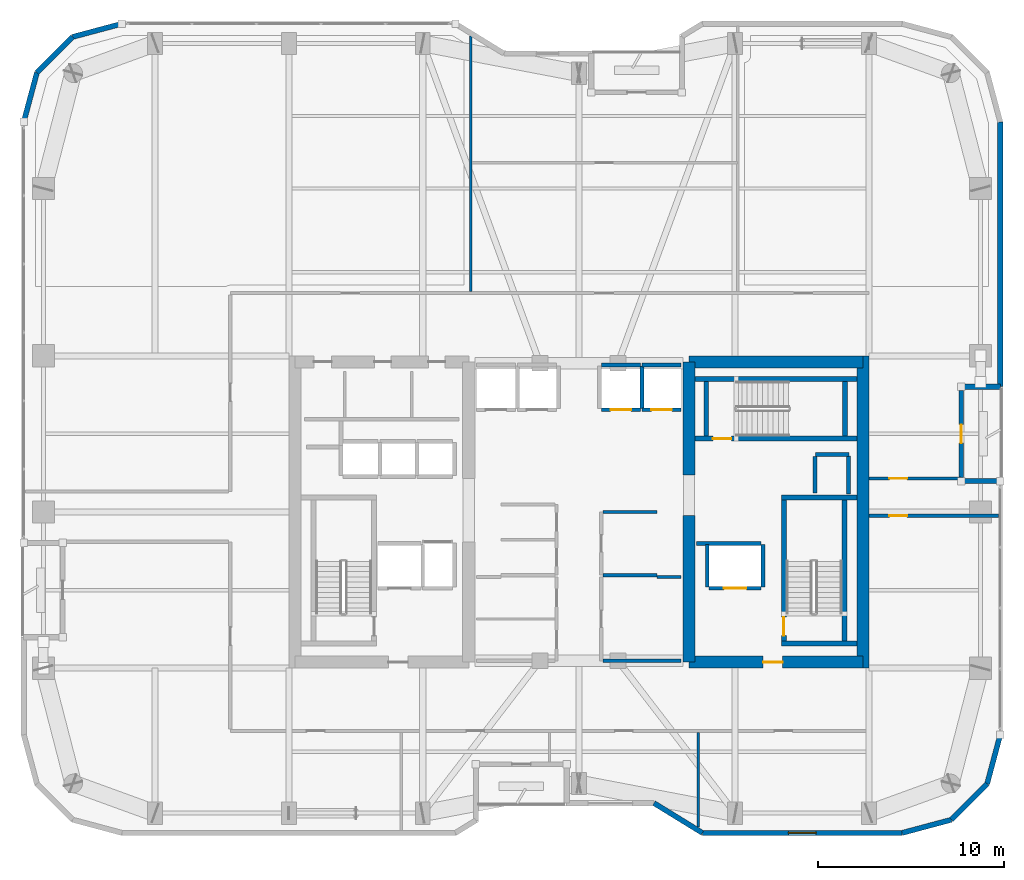
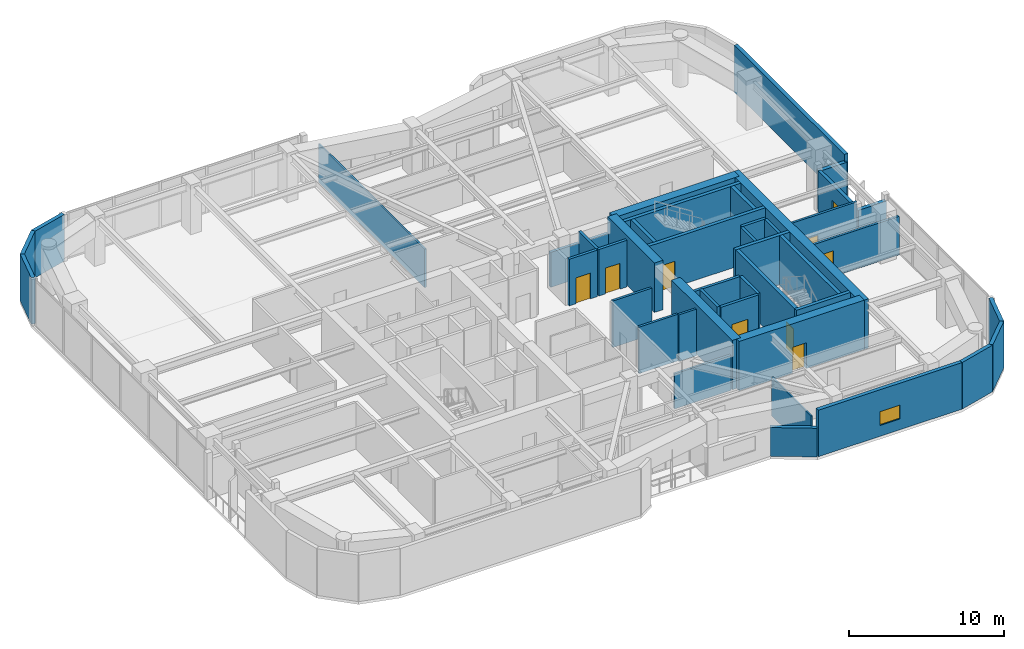
# One storey, part 26 of 30: 45 walls, 9 doors, 1 window, 10 openings.
"""IFC4 building model written with IfcOpenShell, lengths in metres."""

from ifc_helpers import new_model, si_unit, direction, frame, frame_2d, origin, place, context, subcontext, project, spatial, rectangle, extrude, material, layer, layer_set, type_object, element, fill, save


model = new_model("IFC4")

# Units and contexts
model_context = context("Model", 3, precision=1e-05, world=origin(), true_north=direction((0.0, 1.0)))
body_context = subcontext(model_context, "Body", "Model", "MODEL_VIEW")
ifc_project = project(units=[si_unit("LENGTHUNIT", "METRE"), si_unit("AREAUNIT", "SQUARE_METRE"), si_unit("VOLUMEUNIT", "CUBIC_METRE"), si_unit("PLANEANGLEUNIT", "RADIAN"), si_unit("MASSUNIT", "GRAM", prefix="KILO")], contexts=[model_context])

# Site, building, storey
site_placement = place(None, origin())
site = spatial("IfcSite", under=ifc_project, at=site_placement, CompositionType="ELEMENT")
building_placement = place(site_placement, origin())
building = spatial("IfcBuilding", under=site, at=building_placement, Name="Kiyonajd Concourse Tower", CompositionType="ELEMENT")
storey_placement = place(building_placement, frame((0.0, 0.0, 190.199951171875)))
storey = spatial("IfcBuildingStorey", under=building, at=storey_placement, Name="L48", CompositionType="ELEMENT", Elevation=190.199951171875)

# Walls
ifc_material_1 = material(Name="Concrete C60/75", Category="concrete")
ifc_layer_1 = layer(ifc_material_1, 0.64990234375)
ifc_layer_set_1 = layer_set([ifc_layer_1], Name="Concrete C60/75")
wall_type_1 = type_object("IfcWallType", Name="WL-CORE-650", PredefinedType="SHEAR", material=ifc_layer_set_1)
wall_1_placement = place(storey_placement, frame((53.925048828125, 27.925048828125, 0.0), z_axis=(0.0, 0.0, 1.0), x_axis=(0.0, 1.0, 0.0)))
element("IfcWall", 1, at=wall_1_placement, inside=storey, type_object=wall_type_1, Name="L48 East Core Inner South Shear Wall", PredefinedType="SHEAR", context=body_context, shape_type="SweptSolid", body=[
    extrude(rectangle(XDim=7.875, YDim=0.64990234375, at=frame_2d((3.9375, 0.0))), origin(), (0.0, 0.0, 1.0), 3.900146484375),
])
wall_2_placement = place(storey_placement, frame((53.925048828125, 38.0, 0.0), z_axis=(0.0, 0.0, 1.0), x_axis=(0.0, 1.0, 0.0)))
element("IfcWall", 2, at=wall_2_placement, inside=storey, type_object=wall_type_1, Name="L48 East Core Inner North Shear Wall", PredefinedType="SHEAR", context=body_context, shape_type="SweptSolid", body=[
    extrude(rectangle(XDim=6.074951171875, YDim=0.64990234375, at=frame_2d((3.03759765625, 0.0))), origin(), (0.0, 0.0, 1.0), 3.900146484375),
])
wall_3_placement = place(storey_placement, frame((63.27490234375, 27.60009765625, 0.0), z_axis=(0.0, 0.0, 1.0), x_axis=(0.0, 1.0, 0.0)))
element("IfcWall", 3, at=wall_3_placement, inside=storey, type_object=wall_type_1, Name="L48 East Core Outer Shear Wall", PredefinedType="SHEAR", context=body_context, shape_type="SweptSolid", body=[
    extrude(rectangle(XDim=16.7998046875, YDim=0.64990234375, at=frame_2d((8.39990234375, 0.0))), origin(), (0.0, 0.0, 1.0), 3.900146484375),
])

# Wall, opening, door
wall_4_placement = place(storey_placement, frame((53.925048828125, 27.925048828125, 0.0), z_axis=(0.0, 0.0, 1.0), x_axis=(1.0, 0.0, 0.0)))
wall_4 = element("IfcWall", 4, at=wall_4_placement, inside=storey, type_object=wall_type_1, Name="L48 East Core South Shear Wall", PredefinedType="SHEAR", context=body_context, shape_type="SweptSolid", body=[
    extrude(rectangle(XDim=9.349853515625, YDim=0.64990234375, at=frame_2d((4.6748046875, 0.0))), origin(), (0.0, 0.0, 1.0), 3.900146484375),
])
opening_1_placement = place(wall_4_placement, frame((3.97509765625, 0.0, 0.0)))
opening_1 = element("IfcOpeningElement", 5, at=opening_1_placement, cuts=wall_4, Name="Opening DF5", PredefinedType="OPENING", context=body_context, shape_type="SweptSolid", body=[
    extrude(rectangle(XDim=1.050048828125, YDim=2.0400390625, at=frame_2d((0.52490234375, 1.02001953125))), frame((0.0, 0.3349609375, 0.0), z_axis=(0.0, -1.0, 0.0), x_axis=(1.0, 0.0, 0.0)), (0.0, 0.0, 1.0), 0.669921875),
])
ifc_material_2 = material(Name="Brushed Stainless Steel Cab Assembly", Category="steel")
door_type_1 = type_object("IfcDoorType", Name="DR-FD45-1050", OperationType="NOTDEFINED", PredefinedType="DOOR", material=ifc_material_2)
door_1_placement = place(opening_1_placement, origin())
door_1 = element("IfcDoor", 6, at=door_1_placement, inside=storey, type_object=door_type_1, Name="L48 Firefighting Lift Lobby E Smoke Door", OperationType="SINGLE_SWING_RIGHT", OverallHeight=2.0400390625, OverallWidth=1.050048828125, PredefinedType="DOOR", context=body_context, shape_type="SweptSolid", body=[
    extrude(rectangle(XDim=1.050048828125, YDim=2.0400390625, at=frame_2d((0.52490234375, 1.02001953125))), frame((0.0, 0.02490234375, 0.0), z_axis=(0.0, -1.0, 0.0), x_axis=(1.0, 0.0, 0.0)), (0.0, 0.0, 1.0), 0.050048828125),
])
fill(opening_1, door_1)

# Walls
wall_5_placement = place(storey_placement, frame((53.925048828125, 44.074951171875, 0.0), z_axis=(0.0, 0.0, 1.0), x_axis=(1.0, 0.0, 0.0)))
element("IfcWall", 7, at=wall_5_placement, inside=storey, type_object=wall_type_1, Name="L48 East Core North Shear Wall", PredefinedType="SHEAR", context=body_context, shape_type="SweptSolid", body=[
    extrude(rectangle(XDim=9.349853515625, YDim=0.64990234375, at=frame_2d((4.6748046875, 0.0))), origin(), (0.0, 0.0, 1.0), 3.900146484375),
])
ifc_material_3 = material(Name="Precast concrete C50/60", Category="concrete")
ifc_layer_2 = layer(ifc_material_3, 0.280029296875)
ifc_layer_set_2 = layer_set([ifc_layer_2], Name="Precast concrete C50/60")
wall_type_2 = type_object("IfcWallType", Name="WL-EXT-280", PredefinedType="SOLIDWALL", material=ifc_layer_set_2)
wall_6_placement = place(storey_placement, frame((18.139892578125, 56.981689453125, 0.0), z_axis=(0.0, 0.0, 1.0), x_axis=(0.258672222976, 0.9659651552, 0.0)))
element("IfcWall", 8, at=wall_6_placement, inside=storey, type_object=wall_type_2, Name="L48 Exterior Concrete Frame Wall 06", PredefinedType="SOLIDWALL", context=body_context, shape_type="SweptSolid", body=[
    extrude(rectangle(XDim=2.739013671875, YDim=0.280029296875, at=frame_2d((1.36962890625, 0.0))), origin(), (0.0, 0.0, 1.0), 3.679931640625),
])
wall_7_placement = place(storey_placement, frame((18.848388671875, 59.62744140625, 0.0), z_axis=(0.0, 0.0, 1.0), x_axis=(0.707106781187, 0.707106781187, 0.0)))
element("IfcWall", 9, at=wall_7_placement, inside=storey, type_object=wall_type_2, Name="L48 Exterior Concrete Frame Wall 07", PredefinedType="SOLIDWALL", context=body_context, shape_type="SweptSolid", body=[
    extrude(rectangle(XDim=2.720947265625, YDim=0.280029296875, at=frame_2d((1.3603515625, 0.0))), origin(), (0.0, 0.0, 1.0), 3.679931640625),
])
wall_8_placement = place(storey_placement, frame((20.7724609375, 61.551513671875, 0.0), z_axis=(0.0, 0.0, 1.0), x_axis=(0.965971118627, 0.258649952598, 0.0)))
element("IfcWall", 10, at=wall_8_placement, inside=storey, type_object=wall_type_2, Name="L48 Exterior Concrete Frame Wall 08", PredefinedType="SOLIDWALL", context=body_context, shape_type="SweptSolid", body=[
    extrude(rectangle(XDim=2.7392578125, YDim=0.280029296875, at=frame_2d((1.36962890625, 0.0))), origin(), (0.0, 0.0, 1.0), 3.679931640625),
])
wall_9_placement = place(storey_placement, frame((70.659912109375, 56.981689453125, 0.0), z_axis=(0.0, 0.0, 1.0), x_axis=(0.0, -1.0, 0.0)))
element("IfcWall", 11, at=wall_9_placement, inside=storey, type_object=wall_type_2, Name="L48 Exterior Concrete Frame Wall 20", PredefinedType="SOLIDWALL", context=body_context, shape_type="SweptSolid", body=[
    extrude(rectangle(XDim=14.24169921875, YDim=0.280029296875, at=frame_2d((7.120849609375, 0.0))), origin(), (0.0, 0.0, 1.0), 3.679931640625),
])
for number, where, z_axis, x_axis, name in (
    (12, (70.659912109375, 42.739990234375, 0.0), (0.0, 0.0, 1.0), (-1.0, 0.0, 0.0), "L48 Exterior Concrete Frame Wall 21"),
    (13, (68.56005859375, 37.659912109375, 0.0), (0.0, 0.0, 1.0), (1.0, 0.0, 0.0), "L48 Exterior Concrete Frame Wall 23"),
):
    element("IfcWall", number, at=place(storey_placement, frame(where, z_axis=z_axis, x_axis=x_axis)), inside=storey, type_object=wall_type_2, Name=name, PredefinedType="SOLIDWALL", context=body_context, shape_type="SweptSolid", body=[
        extrude(rectangle(XDim=2.099853515625, YDim=0.280029296875, at=frame_2d((1.0498046875, 0.0))), origin(), (0.0, 0.0, 1.0), 3.115966796875),
    ])
wall_10_placement = place(storey_placement, frame((70.659912109375, 24.018310546875, 0.0), z_axis=(0.0, 0.0, 1.0), x_axis=(-0.258672222976, -0.9659651552, 0.0)))
element("IfcWall", 14, at=wall_10_placement, inside=storey, type_object=wall_type_2, Name="L48 Exterior Concrete Frame Wall 25", PredefinedType="SOLIDWALL", context=body_context, shape_type="SweptSolid", body=[
    extrude(rectangle(XDim=2.739013671875, YDim=0.280029296875, at=frame_2d((1.36962890625, 0.0))), origin(), (0.0, 0.0, 1.0), 3.679931640625),
])
wall_11_placement = place(storey_placement, frame((69.951416015625, 21.37255859375, 0.0), z_axis=(0.0, 0.0, 1.0), x_axis=(-0.707061915429, -0.707151644098, 0.0)))
element("IfcWall", 15, at=wall_11_placement, inside=storey, type_object=wall_type_2, Name="L48 Exterior Concrete Frame Wall 26", PredefinedType="SOLIDWALL", context=body_context, shape_type="SweptSolid", body=[
    extrude(rectangle(XDim=2.720947265625, YDim=0.280029296875, at=frame_2d((1.3603515625, 0.0))), origin(), (0.0, 0.0, 1.0), 3.679931640625),
])
wall_12_placement = place(storey_placement, frame((68.027587890625, 19.448486328125, 0.0), z_axis=(0.0, 0.0, 1.0), x_axis=(-0.965971118627, -0.258649952598, 0.0)))
element("IfcWall", 16, at=wall_12_placement, inside=storey, type_object=wall_type_2, Name="L48 Exterior Concrete Frame Wall 27", PredefinedType="SOLIDWALL", context=body_context, shape_type="SweptSolid", body=[
    extrude(rectangle(XDim=2.7392578125, YDim=0.280029296875, at=frame_2d((1.36962890625, 0.0))), origin(), (0.0, 0.0, 1.0), 3.679931640625),
])

# Wall, opening, window
wall_13_placement = place(storey_placement, frame((65.381591796875, 18.739990234375, 0.0), z_axis=(0.0, 0.0, 1.0), x_axis=(-1.0, 0.0, 0.0)))
wall_13 = element("IfcWall", 17, at=wall_13_placement, inside=storey, type_object=wall_type_2, Name="L48 Exterior Concrete Frame Wall 28", PredefinedType="SOLIDWALL", context=body_context, shape_type="SweptSolid", body=[
    extrude(rectangle(XDim=10.741943359375, YDim=0.280029296875, at=frame_2d((5.37109375, 0.0))), origin(), (0.0, 0.0, 1.0), 3.679931640625),
])
opening_2_placement = place(wall_13_placement, frame((4.62109375, 0.0, 0.85009765625)))
opening_2 = element("IfcOpeningElement", 18, at=opening_2_placement, cuts=wall_13, Name="Opening WN2", PredefinedType="OPENING", context=body_context, shape_type="SweptSolid", body=[
    extrude(rectangle(XDim=1.5, YDim=1.10009765625, at=frame_2d((0.75, 0.550048828125))), frame((0.0, 0.14990234375, 0.0), z_axis=(0.0, -1.0, 0.0), x_axis=(1.0, 0.0, 0.0)), (0.0, 0.0, 1.0), 0.300048828125),
])
ifc_material_4 = material(Name="Double Low-E Insulated Glass", Category="glass")
window_type = type_object("IfcWindowType", Name="WN-VIS-1500x1100", PartitioningType="SINGLE_PANEL", PredefinedType="WINDOW", material=ifc_material_4)
window_placement = place(opening_2_placement, origin())
window = element("IfcWindow", 19, at=window_placement, inside=storey, type_object=window_type, Name="L48 Modular Facade Vision Window 28", OverallHeight=1.10009765625, OverallWidth=1.5, PartitioningType="SINGLE_PANEL", PredefinedType="WINDOW", context=body_context, shape_type="SweptSolid", body=[
    extrude(rectangle(XDim=1.5, YDim=1.10009765625, at=frame_2d((0.75, 0.550048828125))), frame((0.0, 0.030029296875, 0.0), z_axis=(0.0, -1.0, 0.0), x_axis=(1.0, 0.0, 0.0)), (0.0, 0.0, 1.0), 0.06005859375),
])
fill(opening_2, window)

# Wall
wall_14_placement = place(storey_placement, frame((54.6396484375, 18.739990234375, 0.0), z_axis=(0.0, 0.0, 1.0), x_axis=(-0.851652825334, 0.524106349037, 0.0)))
element("IfcWall", 20, at=wall_14_placement, inside=storey, type_object=wall_type_2, Name="L48 Exterior Concrete Frame Wall 29", PredefinedType="SOLIDWALL", context=body_context, shape_type="SweptSolid", body=[
    extrude(rectangle(XDim=3.052978515625, YDim=0.280029296875, at=frame_2d((1.5263671875, 0.0))), origin(), (0.0, 0.0, 1.0), 2.26513671875),
])

# Wall, opening, door
ifc_layer_3 = layer(ifc_material_3, 0.239990234375)
ifc_layer_set_3 = layer_set([ifc_layer_3], Name="Precast concrete C50/60")
wall_type_3 = type_object("IfcWallType", Name="WL-LOG-240", PredefinedType="SOLIDWALL", material=ifc_layer_set_3)
wall_15_placement = place(storey_placement, frame((68.56005859375, 42.544921875, 0.0), z_axis=(0.0, 0.0, 1.0), x_axis=(0.0, -1.0, 0.0)))
wall_15 = element("IfcWall", 21, at=wall_15_placement, inside=storey, type_object=wall_type_3, Name="L48 Recessed Loggia Thermal Wall LOG-E", PredefinedType="SOLIDWALL", context=body_context, shape_type="SweptSolid", body=[
    extrude(rectangle(XDim=4.68994140625, YDim=0.239990234375, at=frame_2d((2.344970703125, 0.0))), origin(), (0.0, 0.0, 1.0), 3.248046875),
])
opening_3_placement = place(wall_15_placement, frame((1.844970703125, 0.0, 0.0)))
opening_3 = element("IfcOpeningElement", 22, at=opening_3_placement, cuts=wall_15, Name="Opening DL1", PredefinedType="OPENING", context=body_context, shape_type="SweptSolid", body=[
    extrude(rectangle(XDim=1.0, YDim=2.02001953125, at=frame_2d((0.5, 1.010009765625))), frame((0.0, 0.1298828125, 0.0), z_axis=(0.0, -1.0, 0.0), x_axis=(1.0, 0.0, 0.0)), (0.0, 0.0, 1.0), 0.260009765625),
])
ifc_material_5 = material(Name="Thermally Broken Anodised Aluminium", Category="aluminium")
door_type_2 = type_object("IfcDoorType", Name="DR-LOG-1000", OperationType="NOTDEFINED", PredefinedType="DOOR", material=ifc_material_5)
door_2_placement = place(opening_3_placement, origin())
door_2 = element("IfcDoor", 23, at=door_2_placement, inside=storey, type_object=door_type_2, Name="L48 Engawa Loggia Access Door LOG-E", OperationType="SINGLE_SWING_LEFT", OverallHeight=2.02001953125, OverallWidth=1.0, PredefinedType="DOOR", context=body_context, shape_type="SweptSolid", body=[
    extrude(rectangle(XDim=1.0, YDim=2.02001953125, at=frame_2d((0.5, 1.010009765625))), frame((0.0, 0.02490234375, 0.0), z_axis=(0.0, -1.0, 0.0), x_axis=(1.0, 0.0, 0.0)), (0.0, 0.0, 1.0), 0.050048828125),
])
fill(opening_3, door_2)

# Walls
ifc_material_6 = material(Name="Gypsum Board on Cold-Formed Steel Stud", Category="steel")
ifc_layer_4 = layer(ifc_material_6, 0.125)
ifc_layer_set_4 = layer_set([ifc_layer_4], Name="Gypsum Board on Cold-Formed Steel Stud")
wall_type_4 = type_object("IfcWallType", Name="WL-PART-125", PredefinedType="PARTITIONING", material=ifc_layer_set_4)
wall_16_placement = place(storey_placement, frame((54.409912109375, 19.050048828125, 0.0), z_axis=(0.0, 0.0, 1.0), x_axis=(0.0, 1.0, 0.0)))
element("IfcWall", 24, at=wall_16_placement, inside=storey, type_object=wall_type_4, Name="L48 Interior Partition Wall", PredefinedType="PARTITIONING", context=body_context, shape_type="SweptSolid", body=[
    extrude(rectangle(XDim=5.093017578125, YDim=0.125, at=frame_2d((2.54638671875, 0.0))), origin(), (0.0, 0.0, 1.0), 3.04296875),
])
wall_17_placement = place(storey_placement, frame((42.179931640625, 47.85693359375, 0.0), z_axis=(0.0, 0.0, 1.0), x_axis=(0.0, 1.0, 0.0)))
element("IfcWall", 25, at=wall_17_placement, inside=storey, type_object=wall_type_4, Name="L48 Interior Partition Wall", PredefinedType="PARTITIONING", context=body_context, shape_type="SweptSolid", body=[
    extrude(rectangle(XDim=13.72998046875, YDim=0.125, at=frame_2d((6.864990234375, 0.0))), origin(), (0.0, 0.0, 1.0), 3.04296875),
])
ifc_layer_5 = layer(ifc_material_6, 0.2099609375)
ifc_layer_set_5 = layer_set([ifc_layer_5], Name="Gypsum Board on Cold-Formed Steel Stud")
wall_type_5 = type_object("IfcWallType", Name="WL-SHAFT-210", PredefinedType="PARTITIONING", material=ifc_layer_set_5)
wall_18_placement = place(storey_placement, frame((60.719970703125, 39.10009765625, 0.0), z_axis=(0.0, 0.0, 1.0), x_axis=(1.0, 0.0, 0.0)))
element("IfcWall", 26, at=wall_18_placement, inside=storey, type_object=wall_type_5, Name="L48 Shaft Enclosure Wall", PredefinedType="PARTITIONING", context=body_context, shape_type="SweptSolid", body=[
    extrude(rectangle(XDim=1.800048828125, YDim=0.2099609375, at=frame_2d((0.89990234375, 0.0))), origin(), (0.0, 0.0, 1.0), 3.679931640625),
])
wall_19_placement = place(storey_placement, frame((60.699951171875, 37.02001953125, 0.0), z_axis=(0.0, 0.0, 1.0), x_axis=(0.0, 1.0, 0.0)))
element("IfcWall", 27, at=wall_19_placement, inside=storey, type_object=wall_type_5, Name="L48 Shaft Enclosure Wall", PredefinedType="PARTITIONING", context=body_context, shape_type="SweptSolid", body=[
    extrude(rectangle(XDim=1.9599609375, YDim=0.2099609375, at=frame_2d((0.97998046875, 0.0))), origin(), (0.0, 0.0, 1.0), 3.679931640625),
])
wall_20_placement = place(storey_placement, frame((62.5, 36.97998046875, 0.0), z_axis=(0.0, 0.0, 1.0), x_axis=(0.0, 1.0, 0.0)))
element("IfcWall", 28, at=wall_20_placement, inside=storey, type_object=wall_type_5, Name="L48 Shaft Enclosure Wall", PredefinedType="PARTITIONING", context=body_context, shape_type="SweptSolid", body=[
    extrude(rectangle(XDim=2.0400390625, YDim=0.2099609375, at=frame_2d((1.02001953125, 0.0))), origin(), (0.0, 0.0, 1.0), 3.679931640625),
])

# Wall, opening, door
wall_21_placement = place(storey_placement, frame((55.0, 31.89990234375, 0.0), z_axis=(0.0, 0.0, 1.0), x_axis=(1.0, 0.0, 0.0)))
wall_21 = element("IfcWall", 29, at=wall_21_placement, inside=storey, type_object=wall_type_5, Name="L48 Shaft Enclosure Wall", PredefinedType="PARTITIONING", context=body_context, shape_type="SweptSolid", body=[
    extrude(rectangle(XDim=2.800048828125, YDim=0.2099609375, at=frame_2d((1.39990234375, 0.0))), origin(), (0.0, 0.0, 1.0), 3.679931640625),
])
opening_4_placement = place(wall_21_placement, frame((0.800048828125, 0.0, 0.0)))
opening_4 = element("IfcOpeningElement", 30, at=opening_4_placement, cuts=wall_21, Name="Opening LD2", PredefinedType="OPENING", context=body_context, shape_type="SweptSolid", body=[
    extrude(rectangle(XDim=1.199951171875, YDim=2.0400390625, at=frame_2d((0.60009765625, 1.02001953125))), frame((0.0, 0.114990234375, 0.0), z_axis=(0.0, -1.0, 0.0), x_axis=(1.0, 0.0, 0.0)), (0.0, 0.0, 1.0), 0.22998046875),
])
door_type_3 = type_object("IfcDoorType", Name="DR-LD-1200", OperationType="DOUBLE_DOOR_SLIDING", PredefinedType="DOOR", material=ifc_material_2)
door_3_placement = place(opening_4_placement, origin())
door_3 = element("IfcDoor", 31, at=door_3_placement, inside=storey, type_object=door_type_3, Name="L48 Lift FFL2 Sliding Landing Door", OperationType="DOUBLE_DOOR_SLIDING", OverallHeight=2.0400390625, OverallWidth=1.199951171875, PredefinedType="DOOR", context=body_context, shape_type="SweptSolid", body=[
    extrude(rectangle(XDim=1.199951171875, YDim=2.0400390625, at=frame_2d((0.60009765625, 1.02001953125))), frame((0.0, 0.02490234375, 0.0), z_axis=(0.0, -1.0, 0.0), x_axis=(1.0, 0.0, 0.0)), (0.0, 0.0, 1.0), 0.050048828125),
])
fill(opening_4, door_3)

# Walls
wall_22_placement = place(storey_placement, frame((54.320068359375, 34.300048828125, 0.0), z_axis=(0.0, 0.0, 1.0), x_axis=(1.0, 0.0, 0.0)))
element("IfcWall", 32, at=wall_22_placement, inside=storey, type_object=wall_type_5, Name="L48 Shaft Enclosure Wall", PredefinedType="PARTITIONING", context=body_context, shape_type="SweptSolid", body=[
    extrude(rectangle(XDim=3.47998046875, YDim=0.2099609375, at=frame_2d((1.739990234375, 0.0))), origin(), (0.0, 0.0, 1.0), 3.679931640625),
])
for number, where, z_axis, x_axis, name in (
    (33, (54.89990234375, 31.9599609375, 0.0), (0.0, 0.0, 1.0), (0.0, 1.0, 0.0), "L48 Shaft Enclosure Wall"),
    (34, (57.89990234375, 31.9599609375, 0.0), (0.0, 0.0, 1.0), (0.0, 1.0, 0.0), "L48 Shaft Enclosure Wall"),
):
    element("IfcWall", number, at=place(storey_placement, frame(where, z_axis=z_axis, x_axis=x_axis)), inside=storey, type_object=wall_type_5, Name=name, PredefinedType="PARTITIONING", context=body_context, shape_type="SweptSolid", body=[
        extrude(rectangle(XDim=2.280029296875, YDim=0.2099609375, at=frame_2d((1.14013671875, 0.0))), origin(), (0.0, 0.0, 1.0), 3.679931640625),
    ])

# Wall, opening, door
wall_23_placement = place(storey_placement, frame((49.199951171875, 41.5, 0.0), z_axis=(0.0, 0.0, 1.0), x_axis=(1.0, 0.0, 0.0)))
wall_23 = element("IfcWall", 35, at=wall_23_placement, inside=storey, type_object=wall_type_5, Name="L48 Shaft Enclosure Wall", PredefinedType="PARTITIONING", context=body_context, shape_type="SweptSolid", body=[
    extrude(rectangle(XDim=2.10009765625, YDim=0.2099609375, at=frame_2d((1.050048828125, 0.0))), origin(), (0.0, 0.0, 1.0), 3.679931640625),
])
opening_5_placement = place(wall_23_placement, frame((0.5, 0.0, 0.0)))
opening_5 = element("IfcOpeningElement", 36, at=opening_5_placement, cuts=wall_23, Name="Opening LD1", PredefinedType="OPENING", context=body_context, shape_type="SweptSolid", body=[
    extrude(rectangle(XDim=1.10009765625, YDim=2.0400390625, at=frame_2d((0.550048828125, 1.02001953125))), frame((0.0, 0.114990234375, 0.0), z_axis=(0.0, -1.0, 0.0), x_axis=(1.0, 0.0, 0.0)), (0.0, 0.0, 1.0), 0.22998046875),
])
door_type_4 = type_object("IfcDoorType", Name="DR-LD-1100", OperationType="DOUBLE_DOOR_SLIDING", PredefinedType="DOOR", material=ifc_material_2)
door_4_placement = place(opening_5_placement, origin())
door_4 = element("IfcDoor", 37, at=door_4_placement, inside=storey, type_object=door_type_4, Name="L48 Lift PL-M3 Sliding Landing Door", OperationType="DOUBLE_DOOR_SLIDING", OverallHeight=2.0400390625, OverallWidth=1.10009765625, PredefinedType="DOOR", context=body_context, shape_type="SweptSolid", body=[
    extrude(rectangle(XDim=1.10009765625, YDim=2.0400390625, at=frame_2d((0.550048828125, 1.02001953125))), frame((0.0, 0.02490234375, 0.0), z_axis=(0.0, -1.0, 0.0), x_axis=(1.0, 0.0, 0.0)), (0.0, 0.0, 1.0), 0.050048828125),
])
fill(opening_5, door_4)

# Walls
wall_24_placement = place(storey_placement, frame((49.199951171875, 43.89990234375, 0.0), z_axis=(0.0, 0.0, 1.0), x_axis=(1.0, 0.0, 0.0)))
element("IfcWall", 38, at=wall_24_placement, inside=storey, type_object=wall_type_5, Name="L48 Shaft Enclosure Wall", PredefinedType="PARTITIONING", context=body_context, shape_type="SweptSolid", body=[
    extrude(rectangle(XDim=2.10009765625, YDim=0.2099609375, at=frame_2d((1.050048828125, 0.0))), origin(), (0.0, 0.0, 1.0), 2.76513671875),
])
wall_25_placement = place(storey_placement, frame((51.39990234375, 41.56005859375, 0.0), z_axis=(0.0, 0.0, 1.0), x_axis=(0.0, 1.0, 0.0)))
element("IfcWall", 39, at=wall_25_placement, inside=storey, type_object=wall_type_5, Name="L48 Shaft Enclosure Wall", PredefinedType="PARTITIONING", context=body_context, shape_type="SweptSolid", body=[
    extrude(rectangle(XDim=2.280029296875, YDim=0.2099609375, at=frame_2d((1.14013671875, 0.0))), origin(), (0.0, 0.0, 1.0), 3.679931640625),
])

# Wall, opening, door
wall_26_placement = place(storey_placement, frame((51.39990234375, 41.5, 0.0), z_axis=(0.0, 0.0, 1.0), x_axis=(1.0, 0.0, 0.0)))
wall_26 = element("IfcWall", 40, at=wall_26_placement, inside=storey, type_object=wall_type_5, Name="L48 Shaft Enclosure Wall", PredefinedType="PARTITIONING", context=body_context, shape_type="SweptSolid", body=[
    extrude(rectangle(XDim=2.10009765625, YDim=0.2099609375, at=frame_2d((1.050048828125, 0.0))), origin(), (0.0, 0.0, 1.0), 3.679931640625),
])
opening_6_placement = place(wall_26_placement, frame((0.5, 0.0, 0.0)))
opening_6 = element("IfcOpeningElement", 41, at=opening_6_placement, cuts=wall_26, Name="Opening LD1", PredefinedType="OPENING", context=body_context, shape_type="SweptSolid", body=[
    extrude(rectangle(XDim=1.10009765625, YDim=2.0400390625, at=frame_2d((0.550048828125, 1.02001953125))), frame((0.0, 0.114990234375, 0.0), z_axis=(0.0, -1.0, 0.0), x_axis=(1.0, 0.0, 0.0)), (0.0, 0.0, 1.0), 0.22998046875),
])
door_5_placement = place(opening_6_placement, origin())
door_5 = element("IfcDoor", 42, at=door_5_placement, inside=storey, type_object=door_type_4, Name="L48 Lift PL-M4 Sliding Landing Door", OperationType="DOUBLE_DOOR_SLIDING", OverallHeight=2.0400390625, OverallWidth=1.10009765625, PredefinedType="DOOR", context=body_context, shape_type="SweptSolid", body=[
    extrude(rectangle(XDim=1.10009765625, YDim=2.0400390625, at=frame_2d((0.550048828125, 1.02001953125))), frame((0.0, 0.02490234375, 0.0), z_axis=(0.0, -1.0, 0.0), x_axis=(1.0, 0.0, 0.0)), (0.0, 0.0, 1.0), 0.050048828125),
])
fill(opening_6, door_5)

# Walls
wall_27_placement = place(storey_placement, frame((51.39990234375, 43.89990234375, 0.0), z_axis=(0.0, 0.0, 1.0), x_axis=(1.0, 0.0, 0.0)))
element("IfcWall", 43, at=wall_27_placement, inside=storey, type_object=wall_type_5, Name="L48 Shaft Enclosure Wall", PredefinedType="PARTITIONING", context=body_context, shape_type="SweptSolid", body=[
    extrude(rectangle(XDim=2.10009765625, YDim=0.2099609375, at=frame_2d((1.050048828125, 0.0))), origin(), (0.0, 0.0, 1.0), 2.76513671875),
])
ifc_layer_6 = layer(ifc_material_6, 0.169921875)
ifc_layer_set_6 = layer_set([ifc_layer_6], Name="Gypsum Board on Cold-Formed Steel Stud")
wall_type_6 = type_object("IfcWallType", Name="WL-SMK-170", PredefinedType="PARTITIONING", material=ifc_layer_set_6)
for number, where, z_axis, x_axis, name in (
    (44, (49.287109375, 32.60009765625, 0.0), (0.0, 0.0, 1.0), (1.0, 0.0, 0.0), "L48 Interior Partition Wall"),
    (45, (49.287109375, 36.0, 0.0), (0.0, 0.0, 1.0), (1.0, 0.0, 0.0), "L48 Interior Partition Wall"),
):
    element("IfcWall", number, at=place(storey_placement, frame(where, z_axis=z_axis, x_axis=x_axis)), inside=storey, type_object=wall_type_6, Name=name, PredefinedType="PARTITIONING", context=body_context, shape_type="SweptSolid", body=[
        extrude(rectangle(XDim=2.912841796875, YDim=0.169921875, at=frame_2d((1.45654296875, 0.0))), origin(), (0.0, 0.0, 1.0), 3.679931640625),
    ])
wall_28_placement = place(storey_placement, frame((49.287109375, 28.0, 0.0), z_axis=(0.0, 0.0, 1.0), x_axis=(1.0, 0.0, 0.0)))
element("IfcWall", 46, at=wall_28_placement, inside=storey, type_object=wall_type_6, Name="L48 Interior Partition Wall", PredefinedType="PARTITIONING", context=body_context, shape_type="SweptSolid", body=[
    extrude(rectangle(XDim=4.212890625, YDim=0.169921875, at=frame_2d((2.1064453125, 0.0))), origin(), (0.0, 0.0, 1.0), 2.76513671875),
])
wall_29_placement = place(storey_placement, frame((52.199951171875, 32.5, 0.0), z_axis=(0.0, 0.0, 1.0), x_axis=(1.0, 0.0, 0.0)))
element("IfcWall", 47, at=wall_29_placement, inside=storey, type_object=wall_type_6, Name="L48 Interior Partition Wall", PredefinedType="PARTITIONING", context=body_context, shape_type="SweptSolid", body=[
    extrude(rectangle(XDim=1.300048828125, YDim=0.169921875, at=frame_2d((0.64990234375, 0.0))), origin(), (0.0, 0.0, 1.0), 3.679931640625),
])

# Wall, opening, door
wall_30_placement = place(storey_placement, frame((63.60009765625, 35.800048828125, 0.0), z_axis=(0.0, 0.0, 1.0), x_axis=(1.0, 0.0, 0.0)))
wall_30 = element("IfcWall", 48, at=wall_30_placement, inside=storey, type_object=wall_type_6, Name="L48 Interior Partition Wall", PredefinedType="PARTITIONING", context=body_context, shape_type="SweptSolid", body=[
    extrude(rectangle(XDim=6.974853515625, YDim=0.169921875, at=frame_2d((3.4873046875, 0.0))), origin(), (0.0, 0.0, 1.0), 3.04296875),
])
opening_7_placement = place(wall_30_placement, frame((1.10009765625, 0.0, 0.0)))
opening_7 = element("IfcOpeningElement", 49, at=opening_7_placement, cuts=wall_30, Name="Opening DI1", PredefinedType="OPENING", context=body_context, shape_type="SweptSolid", body=[
    extrude(rectangle(XDim=0.949951171875, YDim=2.0400390625, at=frame_2d((0.47509765625, 1.02001953125))), frame((0.0, 0.094970703125, 0.0), z_axis=(0.0, -1.0, 0.0), x_axis=(1.0, 0.0, 0.0)), (0.0, 0.0, 1.0), 0.18994140625),
])
ifc_material_7 = material(Name="Natural Oak Acoustic Timber Veneer", Category="wood")
door_type_5 = type_object("IfcDoorType", Name="DR-INT-950", OperationType="NOTDEFINED", PredefinedType="DOOR", material=ifc_material_7)
door_6_placement = place(opening_7_placement, origin())
door_6 = element("IfcDoor", 50, at=door_6_placement, inside=storey, type_object=door_type_5, Name="L48 Interior Door", OperationType="SINGLE_SWING_RIGHT", OverallHeight=2.0400390625, OverallWidth=0.949951171875, PredefinedType="DOOR", context=body_context, shape_type="SweptSolid", body=[
    extrude(rectangle(XDim=0.949951171875, YDim=2.0400390625, at=frame_2d((0.47509765625, 1.02001953125))), frame((0.0, 0.02490234375, 0.0), z_axis=(0.0, -1.0, 0.0), x_axis=(1.0, 0.0, 0.0)), (0.0, 0.0, 1.0), 0.050048828125),
])
fill(opening_7, door_6)

wall_31_placement = place(storey_placement, frame((63.60009765625, 37.800048828125, 0.0), z_axis=(0.0, 0.0, 1.0), x_axis=(1.0, 0.0, 0.0)))
wall_31 = element("IfcWall", 51, at=wall_31_placement, inside=storey, type_object=wall_type_6, Name="L48 Interior Partition Wall", PredefinedType="PARTITIONING", context=body_context, shape_type="SweptSolid", body=[
    extrude(rectangle(XDim=4.9599609375, YDim=0.169921875, at=frame_2d((2.47998046875, 0.0))), origin(), (0.0, 0.0, 1.0), 3.679931640625),
])
opening_8_placement = place(wall_31_placement, frame((1.10009765625, 0.0, 0.0)))
opening_8 = element("IfcOpeningElement", 52, at=opening_8_placement, cuts=wall_31, Name="Opening DI1", PredefinedType="OPENING", context=body_context, shape_type="SweptSolid", body=[
    extrude(rectangle(XDim=0.949951171875, YDim=2.0400390625, at=frame_2d((0.47509765625, 1.02001953125))), frame((0.0, 0.094970703125, 0.0), z_axis=(0.0, -1.0, 0.0), x_axis=(1.0, 0.0, 0.0)), (0.0, 0.0, 1.0), 0.18994140625),
])
door_7_placement = place(opening_8_placement, origin())
door_7 = element("IfcDoor", 53, at=door_7_placement, inside=storey, type_object=door_type_5, Name="L48 Interior Door", OperationType="SINGLE_SWING_LEFT", OverallHeight=2.0400390625, OverallWidth=0.949951171875, PredefinedType="DOOR", context=body_context, shape_type="SweptSolid", body=[
    extrude(rectangle(XDim=0.949951171875, YDim=2.0400390625, at=frame_2d((0.47509765625, 1.02001953125))), frame((0.0, 0.02490234375, 0.0), z_axis=(0.0, -1.0, 0.0), x_axis=(1.0, 0.0, 0.0)), (0.0, 0.0, 1.0), 0.050048828125),
])
fill(opening_8, door_7)

# Walls
ifc_material_8 = material(Name="Concrete C50/60", Category="concrete")
ifc_layer_7 = layer(ifc_material_8, 0.260009765625)
ifc_layer_set_7 = layer_set([ifc_layer_7], Name="Concrete C50/60")
wall_type_7 = type_object("IfcWallType", Name="WL-STAIR-260", PredefinedType="SHEAR", material=ifc_layer_set_7)
for number, where, z_axis, x_axis, name in (
    (54, (58.889892578125, 28.919921875, 0.0), (0.0, 0.0, 1.0), (1.0, 0.0, 0.0), "L48 Stair ST2 Structural South Wall"),
    (55, (58.889892578125, 36.780029296875, 0.0), (0.0, 0.0, 1.0), (1.0, 0.0, 0.0), "L48 Stair ST2 Structural North Wall"),
):
    element("IfcWall", number, at=place(storey_placement, frame(where, z_axis=z_axis, x_axis=x_axis)), inside=storey, type_object=wall_type_7, Name=name, PredefinedType="SHEAR", context=body_context, shape_type="SweptSolid", body=[
        extrude(rectangle(XDim=4.06005859375, YDim=0.260009765625, at=frame_2d((2.030029296875, 0.0))), origin(), (0.0, 0.0, 1.0), 3.900146484375),
    ])

# Wall, opening, door
wall_32_placement = place(storey_placement, frame((59.02001953125, 29.050048828125, 0.0), z_axis=(0.0, 0.0, 1.0), x_axis=(0.0, 1.0, 0.0)))
wall_32 = element("IfcWall", 56, at=wall_32_placement, inside=storey, type_object=wall_type_7, Name="L48 Stair ST2 Structural West Wall", PredefinedType="SHEAR", context=body_context, shape_type="SweptSolid", body=[
    extrude(rectangle(XDim=7.599853515625, YDim=0.260009765625, at=frame_2d((3.7998046875, 0.0))), origin(), (0.0, 0.0, 1.0), 3.900146484375),
])
opening_9_placement = place(wall_32_placement, frame((0.300048828125, 0.0, 0.0)))
opening_9 = element("IfcOpeningElement", 57, at=opening_9_placement, cuts=wall_32, Name="Opening DF1", PredefinedType="OPENING", context=body_context, shape_type="SweptSolid", body=[
    extrude(rectangle(XDim=1.0, YDim=2.0400390625, at=frame_2d((0.5, 1.02001953125))), frame((0.0, 0.139892578125, 0.0), z_axis=(0.0, -1.0, 0.0), x_axis=(1.0, 0.0, 0.0)), (0.0, 0.0, 1.0), 0.280029296875),
])
door_type_6 = type_object("IfcDoorType", Name="DR-FD90-1000", OperationType="NOTDEFINED", PredefinedType="DOOR", material=ifc_material_2)
door_8_placement = place(opening_9_placement, origin())
door_8 = element("IfcDoor", 58, at=door_8_placement, inside=storey, type_object=door_type_6, Name="L48 Stair ST2 FSAE Door", OperationType="SINGLE_SWING_RIGHT", OverallHeight=2.0400390625, OverallWidth=1.0, PredefinedType="DOOR", context=body_context, shape_type="SweptSolid", body=[
    extrude(rectangle(XDim=1.0, YDim=2.0400390625, at=frame_2d((0.5, 1.02001953125))), frame((0.0, 0.02490234375, 0.0), z_axis=(0.0, -1.0, 0.0), x_axis=(1.0, 0.0, 0.0)), (0.0, 0.0, 1.0), 0.050048828125),
])
fill(opening_9, door_8)

# Wall
wall_33_placement = place(storey_placement, frame((62.280029296875, 29.050048828125, 0.0), z_axis=(0.0, 0.0, 1.0), x_axis=(0.0, 1.0, 0.0)))
element("IfcWall", 59, at=wall_33_placement, inside=storey, type_object=wall_type_7, Name="L48 Stair ST2 Structural East Wall", PredefinedType="SHEAR", context=body_context, shape_type="SweptSolid", body=[
    extrude(rectangle(XDim=7.599853515625, YDim=0.260009765625, at=frame_2d((3.7998046875, 0.0))), origin(), (0.0, 0.0, 1.0), 3.900146484375),
])

# Wall, opening, door
wall_34_placement = place(storey_placement, frame((54.25, 39.949951171875, 0.0), z_axis=(0.0, 0.0, 1.0), x_axis=(1.0, 0.0, 0.0)))
wall_34 = element("IfcWall", 60, at=wall_34_placement, inside=storey, type_object=wall_type_7, Name="L48 Stair ST3 Structural South Wall", PredefinedType="SHEAR", context=body_context, shape_type="SweptSolid", body=[
    extrude(rectangle(XDim=8.699951171875, YDim=0.260009765625, at=frame_2d((4.35009765625, 0.0))), origin(), (0.0, 0.0, 1.0), 3.900146484375),
])
opening_10_placement = place(wall_34_placement, frame((0.949951171875, 0.0, 0.0)))
opening_10 = element("IfcOpeningElement", 61, at=opening_10_placement, cuts=wall_34, Name="Opening DF1", PredefinedType="OPENING", context=body_context, shape_type="SweptSolid", body=[
    extrude(rectangle(XDim=1.0, YDim=2.0400390625, at=frame_2d((0.5, 1.02001953125))), frame((0.0, 0.139892578125, 0.0), z_axis=(0.0, -1.0, 0.0), x_axis=(1.0, 0.0, 0.0)), (0.0, 0.0, 1.0), 0.280029296875),
])
door_9_placement = place(opening_10_placement, origin())
door_9 = element("IfcDoor", 62, at=door_9_placement, inside=storey, type_object=door_type_6, Name="L48 Stair ST3 Enclosure Door", OperationType="SINGLE_SWING_LEFT", OverallHeight=2.0400390625, OverallWidth=1.0, PredefinedType="DOOR", context=body_context, shape_type="SweptSolid", body=[
    extrude(rectangle(XDim=1.0, YDim=2.0400390625, at=frame_2d((0.5, 1.02001953125))), frame((0.0, 0.02490234375, 0.0), z_axis=(0.0, -1.0, 0.0), x_axis=(1.0, 0.0, 0.0)), (0.0, 0.0, 1.0), 0.050048828125),
])
fill(opening_10, door_9)

# Walls
wall_35_placement = place(storey_placement, frame((54.25, 43.14990234375, 0.0), z_axis=(0.0, 0.0, 1.0), x_axis=(1.0, 0.0, 0.0)))
element("IfcWall", 63, at=wall_35_placement, inside=storey, type_object=wall_type_7, Name="L48 Stair ST3 Structural North Wall", PredefinedType="SHEAR", context=body_context, shape_type="SweptSolid", body=[
    extrude(rectangle(XDim=8.699951171875, YDim=0.260009765625, at=frame_2d((4.35009765625, 0.0))), origin(), (0.0, 0.0, 1.0), 3.900146484375),
])
for number, where, z_axis, x_axis, name in (
    (64, (54.85009765625, 40.080078125, 0.0), (0.0, 0.0, 1.0), (0.0, 1.0, 0.0), "L48 Stair ST3 Structural West Wall"),
    (65, (62.31005859375, 40.080078125, 0.0), (0.0, 0.0, 1.0), (0.0, 1.0, 0.0), "L48 Stair ST3 Structural East Wall"),
):
    element("IfcWall", number, at=place(storey_placement, frame(where, z_axis=z_axis, x_axis=x_axis)), inside=storey, type_object=wall_type_7, Name=name, PredefinedType="SHEAR", context=body_context, shape_type="SweptSolid", body=[
        extrude(rectangle(XDim=2.93994140625, YDim=0.260009765625, at=frame_2d((1.469970703125, 0.0))), origin(), (0.0, 0.0, 1.0), 3.900146484375),
    ])

save(model, "model.ifc")
